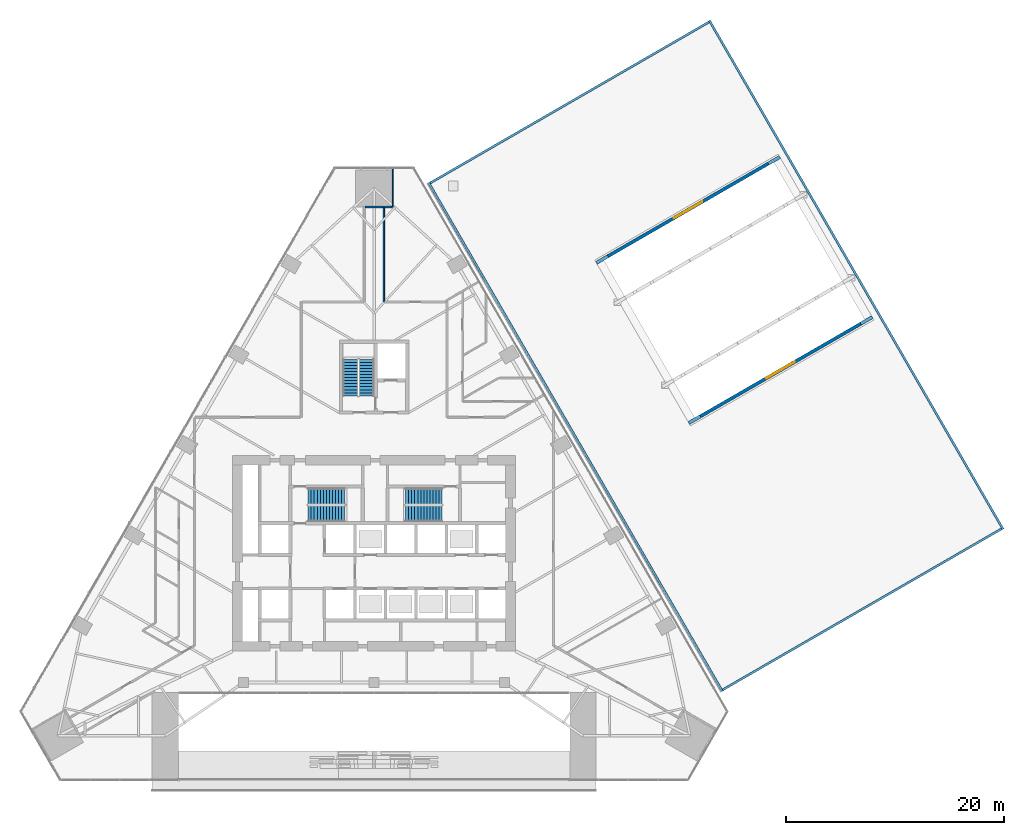
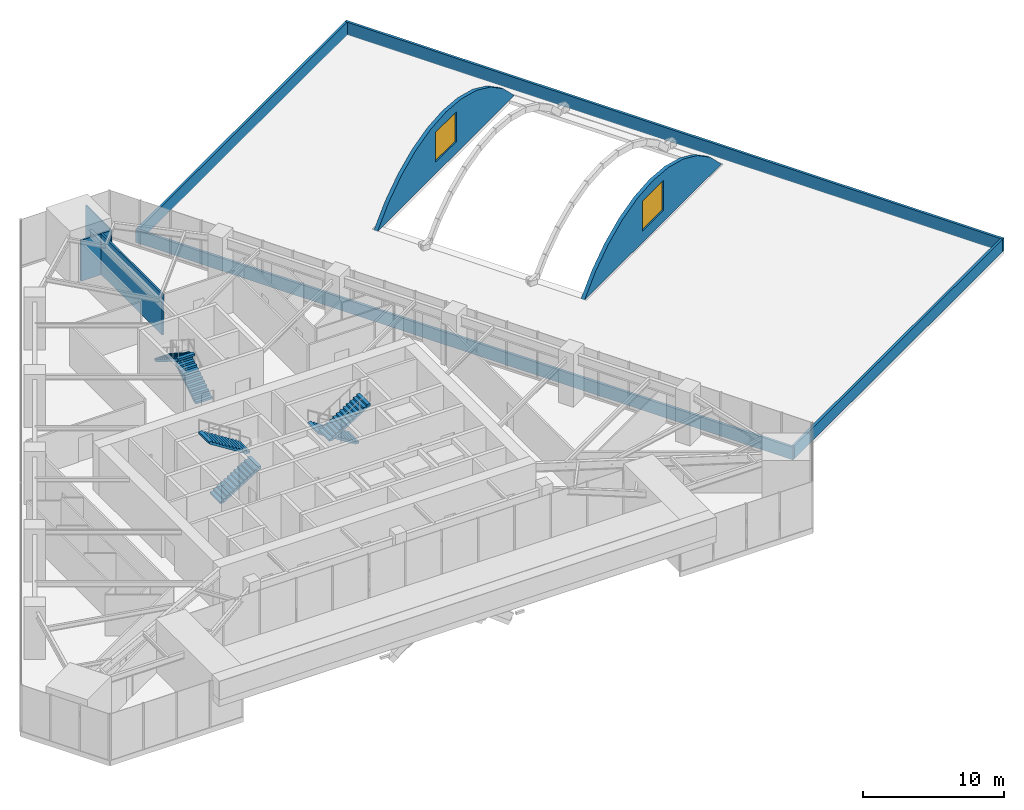
# One storey, part 21 of 23: 10 walls, 6 stair flights, 2 windows, 2 openings, 3 elements without a shape of their own.
"""IFC4 building model written with IfcOpenShell, lengths in metres."""

import ifcopenshell
import ifcopenshell.guid

model = None  # the IFC model being written
_history = None  # IfcOwnerHistory: only IFC2X3 demands one
_inside = {}  # id of a spatial element -> (the spatial element, [elements in it])
_under = {}  # id of a project, library or spatial element -> (it, [spatial elements below it])
_declared = {}  # id of a project -> (the project, [libraries it declares])
_typed = {}  # id of a type object -> (the type object, [elements of that type])
_made_of = {}  # id of a material, layer set ... -> (it, [elements and type objects made of it])


def new_model(schema):
    """Start an empty IFC model of exactly this schema.

    Asked for "IFC4X3", IfcOpenShell would pick the latest addendum, in which some entities
    have other attributes; the version numbers below select the first issue.
    IFC2X3 requires an IfcOwnerHistory on every rooted entity: one is made here for all.
    """
    global model, _history
    if schema == "IFC4X3":
        model = ifcopenshell.file(schema_version=(4, 3, 0, 0))
    else:
        model = ifcopenshell.file(schema=schema)
    _inside.clear()
    _under.clear()
    _declared.clear()
    _typed.clear()
    _made_of.clear()
    _history = None
    if model.schema == "IFC2X3":
        org = make("IfcOrganization", Name="unknown")
        user = make(
            "IfcPersonAndOrganization",
            ThePerson=make("IfcPerson", FamilyName="unknown"),
            TheOrganization=org,
        )
        app = make(
            "IfcApplication",
            ApplicationDeveloper=org,
            Version="unknown",
            ApplicationFullName="unknown",
            ApplicationIdentifier="unknown",
        )
        _history = make(
            "IfcOwnerHistory",
            OwningUser=user,
            OwningApplication=app,
            ChangeAction="ADDED",
            CreationDate=0,
        )
    return model


def make(cls, **values):
    """One entity of the class cls with the attributes given. An attribute that is None is left unset."""
    return model.create_entity(
        cls, **{name: value for name, value in values.items() if value is not None}
    )


def rooted(cls, **values):
    """An entity with a GlobalId (a new one), such as an element, a storey or a relation."""
    return make(cls, GlobalId=ifcopenshell.guid.new(), OwnerHistory=_history, **values)


def si_unit(unit_type, name, prefix=None):
    """IfcSIUnit, for example si_unit("LENGTHUNIT", "METRE", prefix="MILLI")."""
    return make("IfcSIUnit", UnitType=unit_type, Prefix=prefix, Name=name)


def assignment(units):
    """IfcUnitAssignment: the units of a project."""
    return None if units is None else make("IfcUnitAssignment", Units=units)


def point(xyz):
    """IfcCartesianPoint."""
    return None if xyz is None else make("IfcCartesianPoint", Coordinates=xyz)


def direction(xyz):
    """IfcDirection."""
    return None if xyz is None else make("IfcDirection", DirectionRatios=xyz)


def frame(location, z_axis=None, x_axis=None):
    """IfcAxis2Placement3D, a coordinate frame: its origin and axes. An axis left out is left unset."""
    return make(
        "IfcAxis2Placement3D",
        Location=point(location),
        Axis=direction(z_axis),
        RefDirection=direction(x_axis),
    )


def frame_2d(location, x_axis=None):
    """IfcAxis2Placement2D, a coordinate frame in the plane: its origin and x axis."""
    return make(
        "IfcAxis2Placement2D", Location=point(location), RefDirection=direction(x_axis)
    )


def origin():
    """The frame at (0, 0, 0) with its axes left unset."""
    return frame((0.0, 0.0, 0.0))


def place(relative_to, where):
    """IfcLocalPlacement: puts the frame where relative to a parent placement (None: the world)."""
    return make(
        "IfcLocalPlacement", PlacementRelTo=relative_to, RelativePlacement=where
    )


def context(
    kind, dimensions, precision=None, world=None, true_north=None, identifier=None
):
    """IfcGeometricRepresentationContext, for example the 3D "Model" context."""
    return make(
        "IfcGeometricRepresentationContext",
        ContextIdentifier=identifier,
        ContextType=kind,
        CoordinateSpaceDimension=dimensions,
        Precision=precision,
        WorldCoordinateSystem=world,
        TrueNorth=true_north,
    )


def subcontext(parent, identifier, kind, view, scale=None):
    """IfcGeometricRepresentationSubContext, for example "Body" below "Model"."""
    return make(
        "IfcGeometricRepresentationSubContext",
        ContextIdentifier=identifier,
        ContextType=kind,
        ParentContext=parent,
        TargetScale=scale,
        TargetView=view,
    )


def project(units=None, contexts=None):
    """IfcProject with its units and contexts."""
    return rooted(
        "IfcProject",
        Name="project",
        RepresentationContexts=contexts,
        UnitsInContext=assignment(units),
    )


def spatial(cls, under=None, at=None, **own):
    """A site, building, storey or space (cls), placed at a placement, below another one or the project."""
    s = rooted(cls, ObjectPlacement=at, **own)
    if under is not None:
        _under.setdefault(under.id(), (under, []))[1].append(s)
    return s


def polyline(points):
    """IfcPolyline through the points."""
    return make("IfcPolyline", Points=[point(p) for p in points])


def profile(cls, at=None, kind="AREA", **sizes):
    """A parametric profile (cls). Its sizes go by their IFC names, for example OverallWidth=200.0."""
    return make(cls, ProfileType=kind, Position=at, **sizes)


def rectangle(**sizes):
    """IfcRectangleProfileDef."""
    return profile("IfcRectangleProfileDef", **sizes)


def outline(outer, holes=None, kind="AREA"):
    """IfcArbitraryClosedProfileDef: a profile drawn as a closed curve; with holes, ...WithVoids."""
    if holes is None:
        return make("IfcArbitraryClosedProfileDef", ProfileType=kind, OuterCurve=outer)
    return make(
        "IfcArbitraryProfileDefWithVoids",
        ProfileType=kind,
        OuterCurve=outer,
        InnerCurves=holes,
    )


def extrude(swept, where, along, depth):
    """IfcExtrudedAreaSolid: the profile swept, set in the frame where, extruded along a direction by depth."""
    return make(
        "IfcExtrudedAreaSolid",
        SweptArea=swept,
        Position=where,
        ExtrudedDirection=direction(along),
        Depth=depth,
    )


def shape(context_of_items, identifier, shape_type, items):
    """IfcShapeRepresentation: the items that make up one representation, for example the "Body"."""
    return make(
        "IfcShapeRepresentation",
        ContextOfItems=context_of_items,
        RepresentationIdentifier=identifier,
        RepresentationType=shape_type,
        Items=items,
    )


def material(Name=None, Category=None):
    """IfcMaterial."""
    return make("IfcMaterial", Name=Name, Category=Category)


def layer(
    of_material, thickness, ventilated=None, Name=None, Category=None, Priority=None
):
    """IfcMaterialLayer: one layer of a wall or slab, of a material (None: an air gap)."""
    return make(
        "IfcMaterialLayer",
        Material=of_material,
        LayerThickness=thickness,
        IsVentilated=ventilated,
        Name=Name,
        Category=Category,
        Priority=Priority,
    )


def layer_set(layers, Name=None):
    """IfcMaterialLayerSet."""
    return make("IfcMaterialLayerSet", MaterialLayers=layers, LayerSetName=Name)


def made_of(thing, what):
    """Note that an element or type object is made of a material, layer set ...; save() writes the relation."""
    if what is not None:
        _made_of.setdefault(what.id(), (what, []))[1].append(thing)
    return thing


def type_object(cls, material=None, **own):
    """A type object (cls), such as IfcWallType, which elements share."""
    return made_of(rooted(cls, **own), material)


def element(
    cls,
    number,
    at=None,
    inside=None,
    cuts=None,
    type_object=None,
    material=None,
    context=None,
    identifier="Body",
    shape_type=None,
    held_by="IfcProductDefinitionShape",
    body=None,
    shapes=None,
    **own,
):
    """One element of the class cls, such as IfcWall. Its Tag is "e" and its number.

    at: its placement. inside: the storey or other place that contains it. cuts: it is an
    opening in that element (IfcRelVoidsElement). A single representation is given by context,
    identifier, shape_type and body (its items); several are given by shapes. held_by: the class
    of the entity that holds the representations. save() writes the other relations.
    """
    e = rooted(cls, Tag="e%d" % number, ObjectPlacement=at, **own)
    if body is not None:
        shapes = [shape(context, identifier, shape_type, body)]
    if shapes is not None:
        e.Representation = make(held_by, Representations=shapes)
    if inside is not None:
        _inside.setdefault(inside.id(), (inside, []))[1].append(e)
    if cuts is not None:
        rooted(
            "IfcRelVoidsElement", RelatingBuildingElement=cuts, RelatedOpeningElement=e
        )
    if type_object is not None:
        _typed.setdefault(type_object.id(), (type_object, []))[1].append(e)
    return made_of(e, material)


def fill(opening, filler):
    """IfcRelFillsElement: the door or window that sits in an opening."""
    return rooted(
        "IfcRelFillsElement",
        RelatingOpeningElement=opening,
        RelatedBuildingElement=filler,
    )


def aggregate(whole, parts):
    """IfcRelAggregates: a whole, such as a stair, and the parts it consists of."""
    return rooted("IfcRelAggregates", RelatingObject=whole, RelatedObjects=parts)


def save(model, path):
    """Write the relations noted so far, then the file.

    IfcRelAggregates (storeys below a building ...), IfcRelContainedInSpatialStructure (elements
    in a storey), IfcRelDefinesByType, IfcRelAssociatesMaterial and IfcRelDeclares: one each for
    every whole, place, type object, material and project.
    """
    for whole, parts in _under.values():
        aggregate(whole, parts)
    for where, things in _inside.values():
        rooted(
            "IfcRelContainedInSpatialStructure",
            RelatedElements=things,
            RelatingStructure=where,
        )
    for kind, things in _typed.values():
        rooted("IfcRelDefinesByType", RelatedObjects=things, RelatingType=kind)
    for what, things in _made_of.values():
        rooted("IfcRelAssociatesMaterial", RelatedObjects=things, RelatingMaterial=what)
    for by, libraries in _declared.values():
        rooted("IfcRelDeclares", RelatingContext=by, RelatedDefinitions=libraries)
    model.write(path)


model = new_model("IFC4")

# Units and contexts
model_context = context("Model", 3, precision=1e-05, world=origin(), true_north=direction((0.0, 1.0)))
body_context = subcontext(model_context, "Body", "Model", "MODEL_VIEW")
ifc_project = project(units=[si_unit("LENGTHUNIT", "METRE"), si_unit("AREAUNIT", "SQUARE_METRE"), si_unit("VOLUMEUNIT", "CUBIC_METRE"), si_unit("PLANEANGLEUNIT", "RADIAN"), si_unit("MASSUNIT", "GRAM", prefix="KILO")], contexts=[model_context])

# Site, building, storey
site_placement = place(None, origin())
site = spatial("IfcSite", under=ifc_project, at=site_placement, CompositionType="ELEMENT")
building_placement = place(site_placement, origin())
building = spatial("IfcBuilding", under=site, at=building_placement, Name="Firuza Gate Tower and Library", CompositionType="ELEMENT")
storey_placement = place(building_placement, frame((0.0, 0.0, 26.39990234375)))
storey = spatial("IfcBuildingStorey", under=building, at=storey_placement, Name="L05", CompositionType="ELEMENT", Elevation=26.39990234375)

# Walls
ifc_material_1 = material(Name="Gypsum board partition")
ifc_layer_1 = layer(ifc_material_1, 0.14990234375)
ifc_layer_set_1 = layer_set([ifc_layer_1], Name="Corridor wall 150 double board on steel studs")
wall_type_1 = type_object("IfcWallType", Name="Corridor wall 150 double board on steel studs", PredefinedType="PARTITIONING", material=ifc_layer_set_1)
wall_1_placement = place(storey_placement, frame((74.175537109375, 106.833984375, 0.0), z_axis=(0.0, 0.0, 1.0), x_axis=(1.0, 0.0, 0.0)))
element("IfcWall", 1, at=wall_1_placement, inside=storey, type_object=wall_type_1, Name="f:L05:w006", PredefinedType="PARTITIONING", context=body_context, shape_type="SweptSolid", body=[
    extrude(rectangle(XDim=1.6494140625, YDim=0.14990234375, at=frame_2d((0.82470703125, 0.0))), origin(), (0.0, 0.0, 1.0), 3.547119140625),
])
wall_2_placement = place(storey_placement, frame((75.89990234375, 98.10009765625, 0.0), z_axis=(0.0, 0.0, 1.0), x_axis=(0.0, 1.0, 0.0)))
element("IfcWall", 2, at=wall_2_placement, inside=storey, type_object=wall_type_1, Name="f:L05:w025", PredefinedType="PARTITIONING", context=body_context, shape_type="SweptSolid", body=[
    extrude(rectangle(XDim=8.733642578125, YDim=0.14990234375, at=frame_2d((4.36669921875, 0.0))), origin(), (0.0, 0.0, 1.0), 3.550048828125),
])
wall_3_placement = place(storey_placement, frame((75.97509765625, 106.833984375, 0.0), z_axis=(0.0, 0.0, 1.0), x_axis=(1.0, 0.0, 0.0)))
element("IfcWall", 3, at=wall_3_placement, inside=storey, type_object=wall_type_1, Name="f:L05:w041", PredefinedType="PARTITIONING", context=body_context, shape_type="SweptSolid", body=[
    extrude(rectangle(XDim=0.67431640625, YDim=0.14990234375, at=frame_2d((0.337158203125, 0.0))), origin(), (0.0, 0.0, 1.0), 3.550048828125),
])
ifc_material_2 = material(Name="Concrete C30/37", Category="concrete")
ifc_layer_2 = layer(ifc_material_2, 0.199951171875)
ifc_layer_set_2 = layer_set([ifc_layer_2], Name="LIB PARAPET 200")
wall_type_2 = type_object("IfcWallType", Name="LIB PARAPET 200", PredefinedType="PARAPET", material=ifc_layer_set_2)
for number, where, z_axis, x_axis, name in (
    (4, (107.01953125, 62.3095703125, 0.0), (0.0, 0.0, 1.0), (-0.49999992739, 0.866025445706, 0.0), "Library parapet W"),
    (5, (132.8271484375, 77.209716796875, 0.0), (0.0, 0.0, 1.0), (-0.49999992739, 0.866025445706, 0.0), "Library parapet E"),
):
    element("IfcWall", number, at=place(storey_placement, frame(where, z_axis=z_axis, x_axis=x_axis)), inside=storey, type_object=wall_type_2, Name=name, PredefinedType="PARAPET", context=body_context, shape_type="SweptSolid", body=[
        extrude(rectangle(XDim=54.0, YDim=0.199951171875, at=frame_2d((27.0, 0.0))), origin(), (0.0, 0.0, 1.0), 1.10009765625),
    ])
wall_4_placement = place(storey_placement, frame((107.05615234375, 62.4462890625, 0.0), z_axis=(0.0, 0.0, 1.0), x_axis=(0.866029692796, 0.499992571141, 0.0)))
element("IfcWall", 6, at=wall_4_placement, inside=storey, type_object=wall_type_2, Name="Library parapet S", PredefinedType="PARAPET", context=body_context, shape_type="SweptSolid", body=[
    extrude(rectangle(XDim=29.60009765625, YDim=0.199951171875, at=frame_2d((14.800048828125, 0.0))), origin(), (0.0, 0.0, 1.0), 1.10009765625),
])
wall_5_placement = place(storey_placement, frame((80.15625, 109.038330078125, 0.0), z_axis=(0.0, 0.0, 1.0), x_axis=(0.866024059345, 0.50000232863, 0.0)))
element("IfcWall", 7, at=wall_5_placement, inside=storey, type_object=wall_type_2, Name="Library parapet N", PredefinedType="PARAPET", context=body_context, shape_type="SweptSolid", body=[
    extrude(rectangle(XDim=29.599853515625, YDim=0.199951171875, at=frame_2d((14.7998046875, 0.0))), origin(), (0.0, 0.0, 1.0), 1.10009765625),
])

# Wall, opening, window
ifc_material_3 = material(Name="Concrete C40/50", Category="concrete")
ifc_layer_3 = layer(ifc_material_3, 0.300048828125)
ifc_layer_set_3 = layer_set([ifc_layer_3], Name="LIB VAULT GABLE WALL 300")
wall_type_3 = type_object("IfcWallType", Name="LIB VAULT GABLE WALL 300", PredefinedType="SOLIDWALL", material=ifc_layer_set_3)
wall_6_placement = place(storey_placement, frame((103.93798828125, 86.972900390625, 0.0), z_axis=(0.0, 0.0, 1.0), x_axis=(0.86601877681, 0.50001147808, 0.0)))
wall_6 = element("IfcWall", 8, at=wall_6_placement, inside=storey, type_object=wall_type_3, Name="Reading hall gable wall S", PredefinedType="SOLIDWALL", context=body_context, shape_type="SweptSolid", body=[
    extrude(outline(polyline([(0.0, 0.0), (19.47412109375, 0.0), (19.47412109375, 0.0), (17.883056640625, 1.5556640625), (16.066650390625, 2.8037109375), (14.063720703125, 3.722412109375), (11.9326171875, 4.284912109375), (9.737060546875, 4.47412109375), (7.54150390625, 4.284912109375), (5.41064453125, 3.722412109375), (3.40771484375, 2.8037109375), (1.59130859375, 1.5556640625), (0.0, 0.0), (0.0, 0.0)])), frame((0.0, 0.14990234375, 0.0), z_axis=(0.0, -1.0, 0.0), x_axis=(1.0, 0.0, 0.0)), (0.0, 0.0, 1.0), 0.300048828125),
])
opening_1_placement = place(wall_6_placement, frame((8.237060546875, 0.0, 1.0)))
opening_1 = element("IfcOpeningElement", 9, at=opening_1_placement, cuts=wall_6, Name="Opening LIB-WN5-002", PredefinedType="OPENING", context=body_context, shape_type="SweptSolid", body=[
    extrude(rectangle(XDim=3.0, YDim=2.60009765625, at=frame_2d((1.5, 1.300048828125))), frame((0.0, 0.16015625, 0.0), z_axis=(0.0, -1.0, 0.0), x_axis=(1.0, 0.0, 0.0)), (0.0, 0.0, 1.0), 0.320068359375),
])
ifc_material_4 = material(Name="Ceramic-fritted glass", Category="glass")
window_type = type_object("IfcWindowType", Name="LIB GABLE WINDOW 3000X2600", PartitioningType="SINGLE_PANEL", PredefinedType="WINDOW", material=ifc_material_4)
window_1_placement = place(opening_1_placement, origin())
window_1 = element("IfcWindow", 10, at=window_1_placement, inside=storey, type_object=window_type, Name="Reading hall gable window S", OverallHeight=2.60009765625, OverallWidth=3.0, PartitioningType="SINGLE_PANEL", PredefinedType="WINDOW", context=body_context, shape_type="SweptSolid", body=[
    extrude(rectangle(XDim=3.0, YDim=2.60009765625, at=frame_2d((1.5, 1.300048828125))), frame((0.0, 0.030029296875, 0.0), z_axis=(0.0, -1.0, 0.0), x_axis=(1.0, 0.0, 0.0)), (0.0, 0.0, 1.0), 0.06005859375),
])
fill(opening_1, window_1)

wall_7_placement = place(storey_placement, frame((95.43798828125, 101.695556640625, 0.0), z_axis=(0.0, 0.0, 1.0), x_axis=(0.866024205402, 0.500002075653, 0.0)))
wall_7 = element("IfcWall", 11, at=wall_7_placement, inside=storey, type_object=wall_type_3, Name="Reading hall gable wall N", PredefinedType="SOLIDWALL", context=body_context, shape_type="SweptSolid", body=[
    extrude(outline(polyline([(0.0, 0.0), (19.47412109375, 0.0), (19.47412109375, 0.0), (17.883056640625, 1.5556640625), (16.066650390625, 2.8037109375), (14.063720703125, 3.722412109375), (11.9326171875, 4.284912109375), (9.737060546875, 4.47412109375), (7.54150390625, 4.284912109375), (5.41064453125, 3.722412109375), (3.40771484375, 2.8037109375), (1.59130859375, 1.5556640625), (0.0, 0.0), (0.0, 0.0)])), frame((0.0, 0.14990234375, 0.0), z_axis=(0.0, -1.0, 0.0), x_axis=(1.0, 0.0, 0.0)), (0.0, 0.0, 1.0), 0.300048828125),
])
opening_2_placement = place(wall_7_placement, frame((8.237060546875, 0.0, 1.0)))
opening_2 = element("IfcOpeningElement", 12, at=opening_2_placement, cuts=wall_7, Name="Opening LIB-WN5-001", PredefinedType="OPENING", context=body_context, shape_type="SweptSolid", body=[
    extrude(rectangle(XDim=3.0, YDim=2.60009765625, at=frame_2d((1.5, 1.300048828125))), frame((0.0, 0.16015625, 0.0), z_axis=(0.0, -1.0, 0.0), x_axis=(1.0, 0.0, 0.0)), (0.0, 0.0, 1.0), 0.320068359375),
])
window_2_placement = place(opening_2_placement, origin())
window_2 = element("IfcWindow", 13, at=window_2_placement, inside=storey, type_object=window_type, Name="Reading hall gable window N", OverallHeight=2.60009765625, OverallWidth=3.0, PartitioningType="SINGLE_PANEL", PredefinedType="WINDOW", context=body_context, shape_type="SweptSolid", body=[
    extrude(rectangle(XDim=3.0, YDim=2.60009765625, at=frame_2d((1.5, 1.300048828125))), frame((0.0, 0.030029296875, 0.0), z_axis=(0.0, -1.0, 0.0), x_axis=(1.0, 0.0, 0.0)), (0.0, 0.0, 1.0), 0.06005859375),
])
fill(opening_2, window_2)

# Wall
ifc_material_5 = material(Name="Gypsum board partition")
ifc_layer_4 = layer(ifc_material_5, 0.10009765625)
ifc_layer_set_4 = layer_set([ifc_layer_4], Name="Partition 100 gypsum board on steel studs")
wall_type_4 = type_object("IfcWallType", Name="Partition 100 gypsum board on steel studs", PredefinedType="PARTITIONING", material=ifc_layer_set_4)
wall_8_placement = place(storey_placement, frame((76.699951171875, 106.834228515625, 0.0), z_axis=(0.0, 0.0, 1.0), x_axis=(0.0, 1.0, 0.0)))
element("IfcWall", 14, at=wall_8_placement, inside=storey, type_object=wall_type_4, Name="f:L05:w024", PredefinedType="PARTITIONING", context=body_context, shape_type="SweptSolid", body=[
    extrude(rectangle(XDim=3.5595703125, YDim=0.10009765625, at=frame_2d((1.77978515625, 0.0))), origin(), (0.0, 0.0, 1.0), 3.550048828125),
])

# Stair, stair flights
ifc_material_6 = material(Name="Concrete C35/45", Category="concrete")
stair_type_1 = type_object("IfcStairType", Name="Exit stair ST13", PredefinedType="HALF_TURN_STAIR", material=ifc_material_6)
placement = place(storey_placement, origin())
stair_1 = element("IfcStair", 15, at=placement, inside=storey, type_object=stair_type_1, Name="L05 Stair ST3", PredefinedType="HALF_TURN_STAIR")
ifc_material_7 = material(Name="Concrete C35/45", Category="concrete")
stair_flight_type_1 = type_object("IfcStairFlightType", Name="Stair flight 13 risers 176.9 width 1370", PredefinedType="STRAIGHT", material=ifc_material_7)
stair_flight_1_placement = place(storey_placement, frame((74.31494140625, 89.469970703125, 0.0), z_axis=(0.0, 0.0, 1.0), x_axis=(0.0, 1.0, 0.0)))
stair_flight_1 = element("IfcStairFlight", 16, at=stair_flight_1_placement, type_object=stair_flight_type_1, Name="ST3 flight 1", NumberOfRisers=13, NumberOfTreads=12, PredefinedType="STRAIGHT", RiserHeight=0.176923077, TreadLength=0.28, context=body_context, shape_type="SweptSolid", body=[
    extrude(outline(polyline([(0.0, 0.0), (0.0, 0.177001953125), (0.280029296875, 0.177001953125), (0.280029296875, 0.353759765625), (0.56005859375, 0.353759765625), (0.56005859375, 0.53076171875), (0.840087890625, 0.53076171875), (0.840087890625, 0.707763671875), (1.1201171875, 0.707763671875), (1.1201171875, 0.884521484375), (1.39990234375, 0.884521484375), (1.39990234375, 1.0615234375), (1.679931640625, 1.0615234375), (1.679931640625, 1.238525390625), (1.9599609375, 1.238525390625), (1.9599609375, 1.415283203125), (2.239990234375, 1.415283203125), (2.239990234375, 1.59228515625), (2.52001953125, 1.59228515625), (2.52001953125, 1.769287109375), (2.800048828125, 1.769287109375), (2.800048828125, 1.946044921875), (3.080078125, 1.946044921875), (3.080078125, 2.123046875), (3.360107421875, 2.123046875), (3.360107421875, 2.300048828125), (3.360107421875, 1.94580078125), (0.280517578125, 0.0), (0.0, 0.0)])), frame((0.0, 0.68505859375, 0.0), z_axis=(0.0, -1.0, 0.0), x_axis=(1.0, 0.0, 0.0)), (0.0, 0.0, 1.0), 1.3701171875),
])
stair_flight_2_placement = place(storey_placement, frame((72.844970703125, 92.830078125, 2.300048828125), z_axis=(0.0, 0.0, 1.0), x_axis=(0.0, -1.0, 0.0)))
stair_flight_2 = element("IfcStairFlight", 17, at=stair_flight_2_placement, type_object=stair_flight_type_1, Name="ST3 flight 2", NumberOfRisers=13, NumberOfTreads=12, PredefinedType="STRAIGHT", RiserHeight=0.176923077, TreadLength=0.28, context=body_context, shape_type="SweptSolid", body=[
    extrude(outline(polyline([(0.0, 0.0), (0.0, 0.177001953125), (0.280029296875, 0.177001953125), (0.280029296875, 0.353759765625), (0.56005859375, 0.353759765625), (0.56005859375, 0.53076171875), (0.840087890625, 0.53076171875), (0.840087890625, 0.707763671875), (1.1201171875, 0.707763671875), (1.1201171875, 0.884521484375), (1.39990234375, 0.884521484375), (1.39990234375, 1.0615234375), (1.679931640625, 1.0615234375), (1.679931640625, 1.238525390625), (1.9599609375, 1.238525390625), (1.9599609375, 1.415283203125), (2.239990234375, 1.415283203125), (2.239990234375, 1.59228515625), (2.52001953125, 1.59228515625), (2.52001953125, 1.769287109375), (2.800048828125, 1.769287109375), (2.800048828125, 1.946044921875), (3.080078125, 1.946044921875), (3.080078125, 2.123046875), (3.360107421875, 2.123046875), (3.360107421875, 2.300048828125), (3.360107421875, 1.94580078125), (0.280517578125, 0.0), (0.0, 0.0)])), frame((0.0, 0.68505859375, 0.0), z_axis=(0.0, -1.0, 0.0), x_axis=(1.0, 0.0, 0.0)), (0.0, 0.0, 1.0), 1.3701171875),
])
aggregate(stair_1, [stair_flight_1, stair_flight_2])

ifc_material_8 = material(Name="Concrete C35/45", Category="concrete")
stair_type_2 = type_object("IfcStairType", Name="Exit stair ST4", PredefinedType="HALF_TURN_STAIR", material=ifc_material_8)
stair_2 = element("IfcStair", 18, at=placement, inside=storey, type_object=stair_type_2, Name="L05 Stair ST1", PredefinedType="HALF_TURN_STAIR")
ifc_material_9 = material(Name="Concrete C35/45", Category="concrete")
stair_flight_type_2 = type_object("IfcStairFlightType", Name="Stair flight 13 risers 176.9 width 1490", PredefinedType="STRAIGHT", material=ifc_material_9)
stair_flight_3_placement = place(storey_placement, frame((68.93994140625, 78.64501953125, 0.0), z_axis=(0.0, 0.0, 1.0), x_axis=(1.0, 0.0, 0.0)))
stair_flight_3 = element("IfcStairFlight", 19, at=stair_flight_3_placement, type_object=stair_flight_type_2, Name="ST1 flight 1", NumberOfRisers=13, NumberOfTreads=12, PredefinedType="STRAIGHT", RiserHeight=0.176923077, TreadLength=0.28, context=body_context, shape_type="SweptSolid", body=[
    extrude(outline(polyline([(0.0, 0.0), (0.0, 0.177001953125), (0.280029296875, 0.177001953125), (0.280029296875, 0.353759765625), (0.56005859375, 0.353759765625), (0.56005859375, 0.53076171875), (0.840087890625, 0.53076171875), (0.840087890625, 0.707763671875), (1.1201171875, 0.707763671875), (1.1201171875, 0.884521484375), (1.39990234375, 0.884521484375), (1.39990234375, 1.0615234375), (1.679931640625, 1.0615234375), (1.679931640625, 1.238525390625), (1.9599609375, 1.238525390625), (1.9599609375, 1.415283203125), (2.239990234375, 1.415283203125), (2.239990234375, 1.59228515625), (2.52001953125, 1.59228515625), (2.52001953125, 1.769287109375), (2.800048828125, 1.769287109375), (2.800048828125, 1.946044921875), (3.080078125, 1.946044921875), (3.080078125, 2.123046875), (3.360107421875, 2.123046875), (3.360107421875, 2.300048828125), (3.360107421875, 1.94580078125), (0.280517578125, 0.0), (0.0, 0.0)])), frame((0.0, 0.7451171875, 0.0), z_axis=(0.0, -1.0, 0.0), x_axis=(1.0, 0.0, 0.0)), (0.0, 0.0, 1.0), 1.489990234375),
])
stair_flight_4_placement = place(storey_placement, frame((72.300048828125, 80.235107421875, 2.300048828125), z_axis=(0.0, 0.0, 1.0), x_axis=(-1.0, 0.0, 0.0)))
stair_flight_4 = element("IfcStairFlight", 20, at=stair_flight_4_placement, type_object=stair_flight_type_2, Name="ST1 flight 2", NumberOfRisers=13, NumberOfTreads=12, PredefinedType="STRAIGHT", RiserHeight=0.176923077, TreadLength=0.28, context=body_context, shape_type="SweptSolid", body=[
    extrude(outline(polyline([(0.0, 0.0), (0.0, 0.177001953125), (0.280029296875, 0.177001953125), (0.280029296875, 0.353759765625), (0.56005859375, 0.353759765625), (0.56005859375, 0.53076171875), (0.840087890625, 0.53076171875), (0.840087890625, 0.707763671875), (1.1201171875, 0.707763671875), (1.1201171875, 0.884521484375), (1.39990234375, 0.884521484375), (1.39990234375, 1.0615234375), (1.679931640625, 1.0615234375), (1.679931640625, 1.238525390625), (1.9599609375, 1.238525390625), (1.9599609375, 1.415283203125), (2.239990234375, 1.415283203125), (2.239990234375, 1.59228515625), (2.52001953125, 1.59228515625), (2.52001953125, 1.769287109375), (2.800048828125, 1.769287109375), (2.800048828125, 1.946044921875), (3.080078125, 1.946044921875), (3.080078125, 2.123046875), (3.360107421875, 2.123046875), (3.360107421875, 2.300048828125), (3.360107421875, 1.94580078125), (0.280517578125, 0.0), (0.0, 0.0)])), frame((0.0, 0.7451171875, 0.0), z_axis=(0.0, -1.0, 0.0), x_axis=(1.0, 0.0, 0.0)), (0.0, 0.0, 1.0), 1.489990234375),
])
aggregate(stair_2, [stair_flight_3, stair_flight_4])

stair_3 = element("IfcStair", 21, at=placement, inside=storey, type_object=stair_type_2, Name="L05 Stair ST2", PredefinedType="HALF_TURN_STAIR")
stair_flight_5_placement = place(storey_placement, frame((81.260009765625, 80.235107421875, 0.0), z_axis=(0.0, 0.0, 1.0), x_axis=(-1.0, 0.0, 0.0)))
stair_flight_5 = element("IfcStairFlight", 22, at=stair_flight_5_placement, type_object=stair_flight_type_2, Name="ST2 flight 1", NumberOfRisers=13, NumberOfTreads=12, PredefinedType="STRAIGHT", RiserHeight=0.176923077, TreadLength=0.28, context=body_context, shape_type="SweptSolid", body=[
    extrude(outline(polyline([(0.0, 0.0), (0.0, 0.177001953125), (0.280029296875, 0.177001953125), (0.280029296875, 0.353759765625), (0.56005859375, 0.353759765625), (0.56005859375, 0.53076171875), (0.840087890625, 0.53076171875), (0.840087890625, 0.707763671875), (1.1201171875, 0.707763671875), (1.1201171875, 0.884521484375), (1.39990234375, 0.884521484375), (1.39990234375, 1.0615234375), (1.679931640625, 1.0615234375), (1.679931640625, 1.238525390625), (1.9599609375, 1.238525390625), (1.9599609375, 1.415283203125), (2.239990234375, 1.415283203125), (2.239990234375, 1.59228515625), (2.52001953125, 1.59228515625), (2.52001953125, 1.769287109375), (2.800048828125, 1.769287109375), (2.800048828125, 1.946044921875), (3.080078125, 1.946044921875), (3.080078125, 2.123046875), (3.360107421875, 2.123046875), (3.360107421875, 2.300048828125), (3.360107421875, 1.94580078125), (0.280517578125, 0.0), (0.0, 0.0)])), frame((0.0, 0.7451171875, 0.0), z_axis=(0.0, -1.0, 0.0), x_axis=(1.0, 0.0, 0.0)), (0.0, 0.0, 1.0), 1.489990234375),
])
stair_flight_6_placement = place(storey_placement, frame((77.89990234375, 78.64501953125, 2.300048828125), z_axis=(0.0, 0.0, 1.0), x_axis=(1.0, 0.0, 0.0)))
stair_flight_6 = element("IfcStairFlight", 23, at=stair_flight_6_placement, type_object=stair_flight_type_2, Name="ST2 flight 2", NumberOfRisers=13, NumberOfTreads=12, PredefinedType="STRAIGHT", RiserHeight=0.176923077, TreadLength=0.28, context=body_context, shape_type="SweptSolid", body=[
    extrude(outline(polyline([(0.0, 0.0), (0.0, 0.177001953125), (0.280029296875, 0.177001953125), (0.280029296875, 0.353759765625), (0.56005859375, 0.353759765625), (0.56005859375, 0.53076171875), (0.840087890625, 0.53076171875), (0.840087890625, 0.707763671875), (1.1201171875, 0.707763671875), (1.1201171875, 0.884521484375), (1.39990234375, 0.884521484375), (1.39990234375, 1.0615234375), (1.679931640625, 1.0615234375), (1.679931640625, 1.238525390625), (1.9599609375, 1.238525390625), (1.9599609375, 1.415283203125), (2.239990234375, 1.415283203125), (2.239990234375, 1.59228515625), (2.52001953125, 1.59228515625), (2.52001953125, 1.769287109375), (2.800048828125, 1.769287109375), (2.800048828125, 1.946044921875), (3.080078125, 1.946044921875), (3.080078125, 2.123046875), (3.360107421875, 2.123046875), (3.360107421875, 2.300048828125), (3.360107421875, 1.94580078125), (0.280517578125, 0.0), (0.0, 0.0)])), frame((0.0, 0.7451171875, 0.0), z_axis=(0.0, -1.0, 0.0), x_axis=(1.0, 0.0, 0.0)), (0.0, 0.0, 1.0), 1.489990234375),
])
aggregate(stair_3, [stair_flight_5, stair_flight_6])

save(model, "model.ifc")
